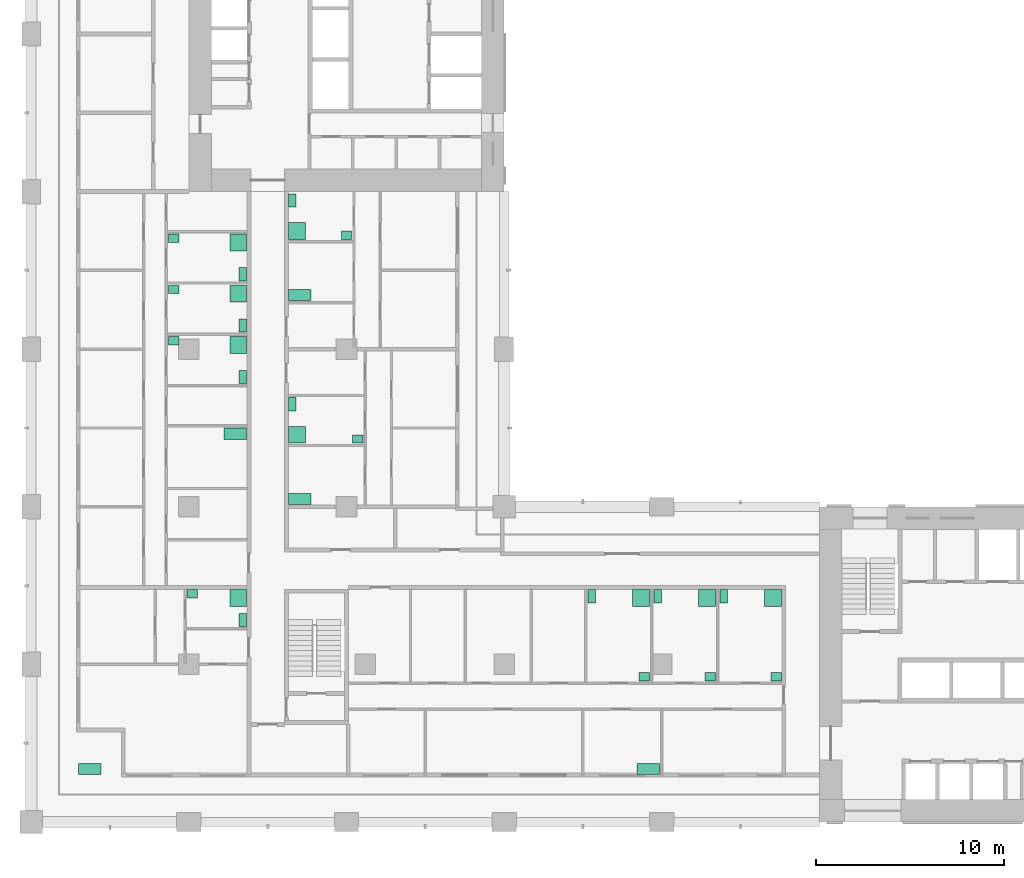
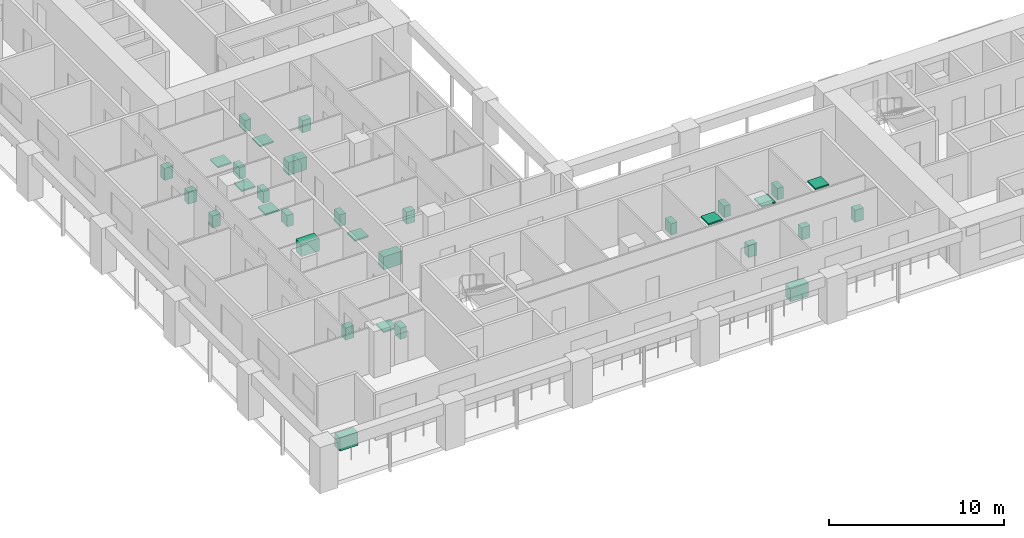
# One storey, part 17 of 17: 32 sanitary terminals.
"""IFC4 building model written with IfcOpenShell, lengths in metres."""

from ifc_helpers import new_model, si_unit, direction, frame, origin, origin_2d, place, context, subcontext, project, spatial, rectangle, extrude, material, element, save


model = new_model("IFC4")

# Units and contexts
model_context = context("Model", 3, precision=1e-05, world=origin(), true_north=direction((0.0, 1.0)))
body_context = subcontext(model_context, "Body", "Model", "MODEL_VIEW")
ifc_project = project(units=[si_unit("LENGTHUNIT", "METRE"), si_unit("AREAUNIT", "SQUARE_METRE"), si_unit("VOLUMEUNIT", "CUBIC_METRE"), si_unit("PLANEANGLEUNIT", "RADIAN"), si_unit("MASSUNIT", "GRAM", prefix="KILO")], contexts=[model_context])

# Site, building, storey
site_placement = place(None, origin())
site = spatial("IfcSite", under=ifc_project, at=site_placement, CompositionType="ELEMENT")
building_placement = place(site_placement, origin())
building = spatial("IfcBuilding", under=site, at=building_placement, Name="Vermilion Gate Residences", CompositionType="ELEMENT")
storey_placement = place(building_placement, frame((0.0, 0.0, 98.699951171875)))
storey = spatial("IfcBuildingStorey", under=building, at=storey_placement, Name="L24", CompositionType="ELEMENT", Elevation=98.699951171875)

# Sanitary terminals
ifc_material_1 = material(Name="Stainless steel", Category="steel")
sanitary_terminal_1_placement = place(storey_placement, frame((3.1201171875, 11.219970703125, 0.0), z_axis=(0.0, 0.0, 1.0), x_axis=(1.0, 0.0, 0.0)))
element("IfcSanitaryTerminal", 1, at=sanitary_terminal_1_placement, inside=storey, material=ifc_material_1, Name="Kitchen sink", PredefinedType="SINK", context=body_context, shape_type="SweptSolid", body=[
    extrude(rectangle(XDim=1.199951171875, YDim=0.60009765625, at=origin_2d()), origin(), (0.0, 0.0, 1.0), 0.89990234375),
])
ifc_material_2 = material(Name="Vitreous china")
sanitary_terminal_2_placement = place(storey_placement, frame((11.030029296875, 20.330078125, 0.0), z_axis=(0.0, 0.0, 1.0), x_axis=(1.0, 0.0, 0.0)))
element("IfcSanitaryTerminal", 2, at=sanitary_terminal_2_placement, inside=storey, material=ifc_material_2, Name="Shower tray", PredefinedType="SHOWER", context=body_context, shape_type="SweptSolid", body=[
    extrude(rectangle(XDim=0.89990234375, YDim=0.89990234375, at=origin_2d()), origin(), (0.0, 0.0, 1.0), 0.10009765625),
])
sanitary_terminal_3_placement = place(storey_placement, frame((11.280029296875, 19.169921875, 0.0), z_axis=(0.0, 0.0, 1.0), x_axis=(1.0, 0.0, 0.0)))
element("IfcSanitaryTerminal", 3, at=sanitary_terminal_3_placement, inside=storey, material=ifc_material_2, Name="Toilet", PredefinedType="TOILETPAN", context=body_context, shape_type="SweptSolid", body=[
    extrude(rectangle(XDim=0.39990234375, YDim=0.699951171875, at=origin_2d()), origin(), (0.0, 0.0, 1.0), 0.800048828125),
])
sanitary_terminal_4_placement = place(storey_placement, frame((8.594970703125, 20.554931640625, 0.0), z_axis=(0.0, 0.0, 1.0), x_axis=(1.0, 0.0, 0.0)))
element("IfcSanitaryTerminal", 4, at=sanitary_terminal_4_placement, inside=storey, material=ifc_material_2, Name="Wash basin", PredefinedType="WASHHANDBASIN", context=body_context, shape_type="SweptSolid", body=[
    extrude(rectangle(XDim=0.550048828125, YDim=0.449951171875, at=origin_2d()), origin(), (0.0, 0.0, 1.0), 0.85009765625),
])
sanitary_terminal_5_placement = place(storey_placement, frame((32.8798828125, 11.219970703125, 0.0), z_axis=(0.0, 0.0, 1.0), x_axis=(1.0, 0.0, 0.0)))
element("IfcSanitaryTerminal", 5, at=sanitary_terminal_5_placement, inside=storey, material=ifc_material_1, Name="Kitchen sink", PredefinedType="SINK", context=body_context, shape_type="SweptSolid", body=[
    extrude(rectangle(XDim=1.199951171875, YDim=0.60009765625, at=origin_2d()), origin(), (0.0, 0.0, 1.0), 0.89990234375),
])
sanitary_terminal_6_placement = place(storey_placement, frame((32.501953125, 20.330078125, 0.0), z_axis=(0.0, 0.0, 1.0), x_axis=(1.0, 0.0, 0.0)))
element("IfcSanitaryTerminal", 6, at=sanitary_terminal_6_placement, inside=storey, material=ifc_material_2, Name="Shower tray", PredefinedType="SHOWER", context=body_context, shape_type="SweptSolid", body=[
    extrude(rectangle(XDim=0.89990234375, YDim=0.89990234375, at=origin_2d()), origin(), (0.0, 0.0, 1.0), 0.10009765625),
])
sanitary_terminal_7_placement = place(storey_placement, frame((29.876953125, 20.429931640625, 0.0), z_axis=(0.0, 0.0, 1.0), x_axis=(1.0, 0.0, 0.0)))
element("IfcSanitaryTerminal", 7, at=sanitary_terminal_7_placement, inside=storey, material=ifc_material_2, Name="Toilet", PredefinedType="TOILETPAN", context=body_context, shape_type="SweptSolid", body=[
    extrude(rectangle(XDim=0.39990234375, YDim=0.699951171875, at=origin_2d()), origin(), (0.0, 0.0, 1.0), 0.800048828125),
])
sanitary_terminal_8_placement = place(storey_placement, frame((32.677001953125, 16.14501953125, 0.0), z_axis=(0.0, 0.0, 1.0), x_axis=(1.0, 0.0, 0.0)))
element("IfcSanitaryTerminal", 8, at=sanitary_terminal_8_placement, inside=storey, material=ifc_material_2, Name="Wash basin", PredefinedType="WASHHANDBASIN", context=body_context, shape_type="SweptSolid", body=[
    extrude(rectangle(XDim=0.550048828125, YDim=0.449951171875, at=origin_2d()), origin(), (0.0, 0.0, 1.0), 0.85009765625),
])
sanitary_terminal_9_placement = place(storey_placement, frame((36.01611328125, 20.330078125, 0.0), z_axis=(0.0, 0.0, 1.0), x_axis=(1.0, 0.0, 0.0)))
element("IfcSanitaryTerminal", 9, at=sanitary_terminal_9_placement, inside=storey, material=ifc_material_2, Name="Shower tray", PredefinedType="SHOWER", context=body_context, shape_type="SweptSolid", body=[
    extrude(rectangle(XDim=0.89990234375, YDim=0.89990234375, at=origin_2d()), origin(), (0.0, 0.0, 1.0), 0.10009765625),
])
sanitary_terminal_10_placement = place(storey_placement, frame((33.39208984375, 20.429931640625, 0.0), z_axis=(0.0, 0.0, 1.0), x_axis=(1.0, 0.0, 0.0)))
element("IfcSanitaryTerminal", 10, at=sanitary_terminal_10_placement, inside=storey, material=ifc_material_2, Name="Toilet", PredefinedType="TOILETPAN", context=body_context, shape_type="SweptSolid", body=[
    extrude(rectangle(XDim=0.39990234375, YDim=0.699951171875, at=origin_2d()), origin(), (0.0, 0.0, 1.0), 0.800048828125),
])
sanitary_terminal_11_placement = place(storey_placement, frame((36.19091796875, 16.14501953125, 0.0), z_axis=(0.0, 0.0, 1.0), x_axis=(1.0, 0.0, 0.0)))
element("IfcSanitaryTerminal", 11, at=sanitary_terminal_11_placement, inside=storey, material=ifc_material_2, Name="Wash basin", PredefinedType="WASHHANDBASIN", context=body_context, shape_type="SweptSolid", body=[
    extrude(rectangle(XDim=0.550048828125, YDim=0.449951171875, at=origin_2d()), origin(), (0.0, 0.0, 1.0), 0.85009765625),
])
sanitary_terminal_12_placement = place(storey_placement, frame((39.530029296875, 20.330078125, 0.0), z_axis=(0.0, 0.0, 1.0), x_axis=(1.0, 0.0, 0.0)))
element("IfcSanitaryTerminal", 12, at=sanitary_terminal_12_placement, inside=storey, material=ifc_material_2, Name="Shower tray", PredefinedType="SHOWER", context=body_context, shape_type="SweptSolid", body=[
    extrude(rectangle(XDim=0.89990234375, YDim=0.89990234375, at=origin_2d()), origin(), (0.0, 0.0, 1.0), 0.10009765625),
])
sanitary_terminal_13_placement = place(storey_placement, frame((36.906005859375, 20.429931640625, 0.0), z_axis=(0.0, 0.0, 1.0), x_axis=(1.0, 0.0, 0.0)))
element("IfcSanitaryTerminal", 13, at=sanitary_terminal_13_placement, inside=storey, material=ifc_material_2, Name="Toilet", PredefinedType="TOILETPAN", context=body_context, shape_type="SweptSolid", body=[
    extrude(rectangle(XDim=0.39990234375, YDim=0.699951171875, at=origin_2d()), origin(), (0.0, 0.0, 1.0), 0.800048828125),
])
sanitary_terminal_14_placement = place(storey_placement, frame((39.705078125, 16.14501953125, 0.0), z_axis=(0.0, 0.0, 1.0), x_axis=(1.0, 0.0, 0.0)))
element("IfcSanitaryTerminal", 14, at=sanitary_terminal_14_placement, inside=storey, material=ifc_material_2, Name="Wash basin", PredefinedType="WASHHANDBASIN", context=body_context, shape_type="SweptSolid", body=[
    extrude(rectangle(XDim=0.550048828125, YDim=0.449951171875, at=origin_2d()), origin(), (0.0, 0.0, 1.0), 0.85009765625),
])
sanitary_terminal_15_placement = place(storey_placement, frame((10.8798828125, 29.093017578125, 0.0), z_axis=(0.0, 0.0, 1.0), x_axis=(1.0, 0.0, 0.0)))
element("IfcSanitaryTerminal", 15, at=sanitary_terminal_15_placement, inside=storey, material=ifc_material_1, Name="Kitchen sink", PredefinedType="SINK", context=body_context, shape_type="SweptSolid", body=[
    extrude(rectangle(XDim=1.199951171875, YDim=0.60009765625, at=origin_2d()), origin(), (0.0, 0.0, 1.0), 0.89990234375),
])
sanitary_terminal_16_placement = place(storey_placement, frame((11.030029296875, 33.818115234375, 0.0), z_axis=(0.0, 0.0, 1.0), x_axis=(1.0, 0.0, 0.0)))
element("IfcSanitaryTerminal", 16, at=sanitary_terminal_16_placement, inside=storey, material=ifc_material_2, Name="Shower tray", PredefinedType="SHOWER", context=body_context, shape_type="SweptSolid", body=[
    extrude(rectangle(XDim=0.89990234375, YDim=0.89990234375, at=origin_2d()), origin(), (0.0, 0.0, 1.0), 0.10009765625),
])
sanitary_terminal_17_placement = place(storey_placement, frame((11.280029296875, 32.1201171875, 0.0), z_axis=(0.0, 0.0, 1.0), x_axis=(1.0, 0.0, 0.0)))
element("IfcSanitaryTerminal", 17, at=sanitary_terminal_17_placement, inside=storey, material=ifc_material_2, Name="Toilet", PredefinedType="TOILETPAN", context=body_context, shape_type="SweptSolid", body=[
    extrude(rectangle(XDim=0.39990234375, YDim=0.699951171875, at=origin_2d()), origin(), (0.0, 0.0, 1.0), 0.800048828125),
])
sanitary_terminal_18_placement = place(storey_placement, frame((7.594970703125, 34.04296875, 0.0), z_axis=(0.0, 0.0, 1.0), x_axis=(1.0, 0.0, 0.0)))
element("IfcSanitaryTerminal", 18, at=sanitary_terminal_18_placement, inside=storey, material=ifc_material_2, Name="Wash basin", PredefinedType="WASHHANDBASIN", context=body_context, shape_type="SweptSolid", body=[
    extrude(rectangle(XDim=0.550048828125, YDim=0.449951171875, at=origin_2d()), origin(), (0.0, 0.0, 1.0), 0.85009765625),
])
sanitary_terminal_19_placement = place(storey_placement, frame((11.030029296875, 36.554931640625, 0.0), z_axis=(0.0, 0.0, 1.0), x_axis=(1.0, 0.0, 0.0)))
element("IfcSanitaryTerminal", 19, at=sanitary_terminal_19_placement, inside=storey, material=ifc_material_2, Name="Shower tray", PredefinedType="SHOWER", context=body_context, shape_type="SweptSolid", body=[
    extrude(rectangle(XDim=0.89990234375, YDim=0.89990234375, at=origin_2d()), origin(), (0.0, 0.0, 1.0), 0.10009765625),
])
sanitary_terminal_20_placement = place(storey_placement, frame((11.280029296875, 34.85791015625, 0.0), z_axis=(0.0, 0.0, 1.0), x_axis=(1.0, 0.0, 0.0)))
element("IfcSanitaryTerminal", 20, at=sanitary_terminal_20_placement, inside=storey, material=ifc_material_2, Name="Toilet", PredefinedType="TOILETPAN", context=body_context, shape_type="SweptSolid", body=[
    extrude(rectangle(XDim=0.39990234375, YDim=0.699951171875, at=origin_2d()), origin(), (0.0, 0.0, 1.0), 0.800048828125),
])
sanitary_terminal_21_placement = place(storey_placement, frame((7.594970703125, 36.780029296875, 0.0), z_axis=(0.0, 0.0, 1.0), x_axis=(1.0, 0.0, 0.0)))
element("IfcSanitaryTerminal", 21, at=sanitary_terminal_21_placement, inside=storey, material=ifc_material_2, Name="Wash basin", PredefinedType="WASHHANDBASIN", context=body_context, shape_type="SweptSolid", body=[
    extrude(rectangle(XDim=0.550048828125, YDim=0.449951171875, at=origin_2d()), origin(), (0.0, 0.0, 1.0), 0.85009765625),
])
sanitary_terminal_22_placement = place(storey_placement, frame((11.030029296875, 39.29296875, 0.0), z_axis=(0.0, 0.0, 1.0), x_axis=(1.0, 0.0, 0.0)))
element("IfcSanitaryTerminal", 22, at=sanitary_terminal_22_placement, inside=storey, material=ifc_material_2, Name="Shower tray", PredefinedType="SHOWER", context=body_context, shape_type="SweptSolid", body=[
    extrude(rectangle(XDim=0.89990234375, YDim=0.89990234375, at=origin_2d()), origin(), (0.0, 0.0, 1.0), 0.10009765625),
])
sanitary_terminal_23_placement = place(storey_placement, frame((11.280029296875, 37.594970703125, 0.0), z_axis=(0.0, 0.0, 1.0), x_axis=(1.0, 0.0, 0.0)))
element("IfcSanitaryTerminal", 23, at=sanitary_terminal_23_placement, inside=storey, material=ifc_material_2, Name="Toilet", PredefinedType="TOILETPAN", context=body_context, shape_type="SweptSolid", body=[
    extrude(rectangle(XDim=0.39990234375, YDim=0.699951171875, at=origin_2d()), origin(), (0.0, 0.0, 1.0), 0.800048828125),
])
sanitary_terminal_24_placement = place(storey_placement, frame((7.594970703125, 39.51806640625, 0.0), z_axis=(0.0, 0.0, 1.0), x_axis=(1.0, 0.0, 0.0)))
element("IfcSanitaryTerminal", 24, at=sanitary_terminal_24_placement, inside=storey, material=ifc_material_2, Name="Wash basin", PredefinedType="WASHHANDBASIN", context=body_context, shape_type="SweptSolid", body=[
    extrude(rectangle(XDim=0.550048828125, YDim=0.449951171875, at=origin_2d()), origin(), (0.0, 0.0, 1.0), 0.85009765625),
])
sanitary_terminal_25_placement = place(storey_placement, frame((14.320068359375, 25.6201171875, 0.0), z_axis=(0.0, 0.0, 1.0), x_axis=(1.0, 0.0, 0.0)))
element("IfcSanitaryTerminal", 25, at=sanitary_terminal_25_placement, inside=storey, material=ifc_material_1, Name="Kitchen sink", PredefinedType="SINK", context=body_context, shape_type="SweptSolid", body=[
    extrude(rectangle(XDim=1.199951171875, YDim=0.60009765625, at=origin_2d()), origin(), (0.0, 0.0, 1.0), 0.89990234375),
])
sanitary_terminal_26_placement = place(storey_placement, frame((14.169921875, 29.037109375, 0.0), z_axis=(0.0, 0.0, 1.0), x_axis=(1.0, 0.0, 0.0)))
element("IfcSanitaryTerminal", 26, at=sanitary_terminal_26_placement, inside=storey, material=ifc_material_2, Name="Shower tray", PredefinedType="SHOWER", context=body_context, shape_type="SweptSolid", body=[
    extrude(rectangle(XDim=0.89990234375, YDim=0.89990234375, at=origin_2d()), origin(), (0.0, 0.0, 1.0), 0.10009765625),
])
sanitary_terminal_27_placement = place(storey_placement, frame((13.919921875, 30.6630859375, 0.0), z_axis=(0.0, 0.0, 1.0), x_axis=(1.0, 0.0, 0.0)))
element("IfcSanitaryTerminal", 27, at=sanitary_terminal_27_placement, inside=storey, material=ifc_material_2, Name="Toilet", PredefinedType="TOILETPAN", context=body_context, shape_type="SweptSolid", body=[
    extrude(rectangle(XDim=0.39990234375, YDim=0.699951171875, at=origin_2d()), origin(), (0.0, 0.0, 1.0), 0.800048828125),
])
sanitary_terminal_28_placement = place(storey_placement, frame((17.405029296875, 28.81201171875, 0.0), z_axis=(0.0, 0.0, 1.0), x_axis=(1.0, 0.0, 0.0)))
element("IfcSanitaryTerminal", 28, at=sanitary_terminal_28_placement, inside=storey, material=ifc_material_2, Name="Wash basin", PredefinedType="WASHHANDBASIN", context=body_context, shape_type="SweptSolid", body=[
    extrude(rectangle(XDim=0.550048828125, YDim=0.449951171875, at=origin_2d()), origin(), (0.0, 0.0, 1.0), 0.85009765625),
])
sanitary_terminal_29_placement = place(storey_placement, frame((14.320068359375, 36.487060546875, 0.0), z_axis=(0.0, 0.0, 1.0), x_axis=(1.0, 0.0, 0.0)))
element("IfcSanitaryTerminal", 29, at=sanitary_terminal_29_placement, inside=storey, material=ifc_material_1, Name="Kitchen sink", PredefinedType="SINK", context=body_context, shape_type="SweptSolid", body=[
    extrude(rectangle(XDim=1.199951171875, YDim=0.60009765625, at=origin_2d()), origin(), (0.0, 0.0, 1.0), 0.89990234375),
])
sanitary_terminal_30_placement = place(storey_placement, frame((14.169921875, 39.903076171875, 0.0), z_axis=(0.0, 0.0, 1.0), x_axis=(1.0, 0.0, 0.0)))
element("IfcSanitaryTerminal", 30, at=sanitary_terminal_30_placement, inside=storey, material=ifc_material_2, Name="Shower tray", PredefinedType="SHOWER", context=body_context, shape_type="SweptSolid", body=[
    extrude(rectangle(XDim=0.89990234375, YDim=0.89990234375, at=origin_2d()), origin(), (0.0, 0.0, 1.0), 0.10009765625),
])
sanitary_terminal_31_placement = place(storey_placement, frame((13.919921875, 41.530029296875, 0.0), z_axis=(0.0, 0.0, 1.0), x_axis=(1.0, 0.0, 0.0)))
element("IfcSanitaryTerminal", 31, at=sanitary_terminal_31_placement, inside=storey, material=ifc_material_2, Name="Toilet", PredefinedType="TOILETPAN", context=body_context, shape_type="SweptSolid", body=[
    extrude(rectangle(XDim=0.39990234375, YDim=0.699951171875, at=origin_2d()), origin(), (0.0, 0.0, 1.0), 0.800048828125),
])
sanitary_terminal_32_placement = place(storey_placement, frame((16.804931640625, 39.677978515625, 0.0), z_axis=(0.0, 0.0, 1.0), x_axis=(1.0, 0.0, 0.0)))
element("IfcSanitaryTerminal", 32, at=sanitary_terminal_32_placement, inside=storey, material=ifc_material_2, Name="Wash basin", PredefinedType="WASHHANDBASIN", context=body_context, shape_type="SweptSolid", body=[
    extrude(rectangle(XDim=0.550048828125, YDim=0.449951171875, at=origin_2d()), origin(), (0.0, 0.0, 1.0), 0.85009765625),
])

save(model, "model.ifc")
